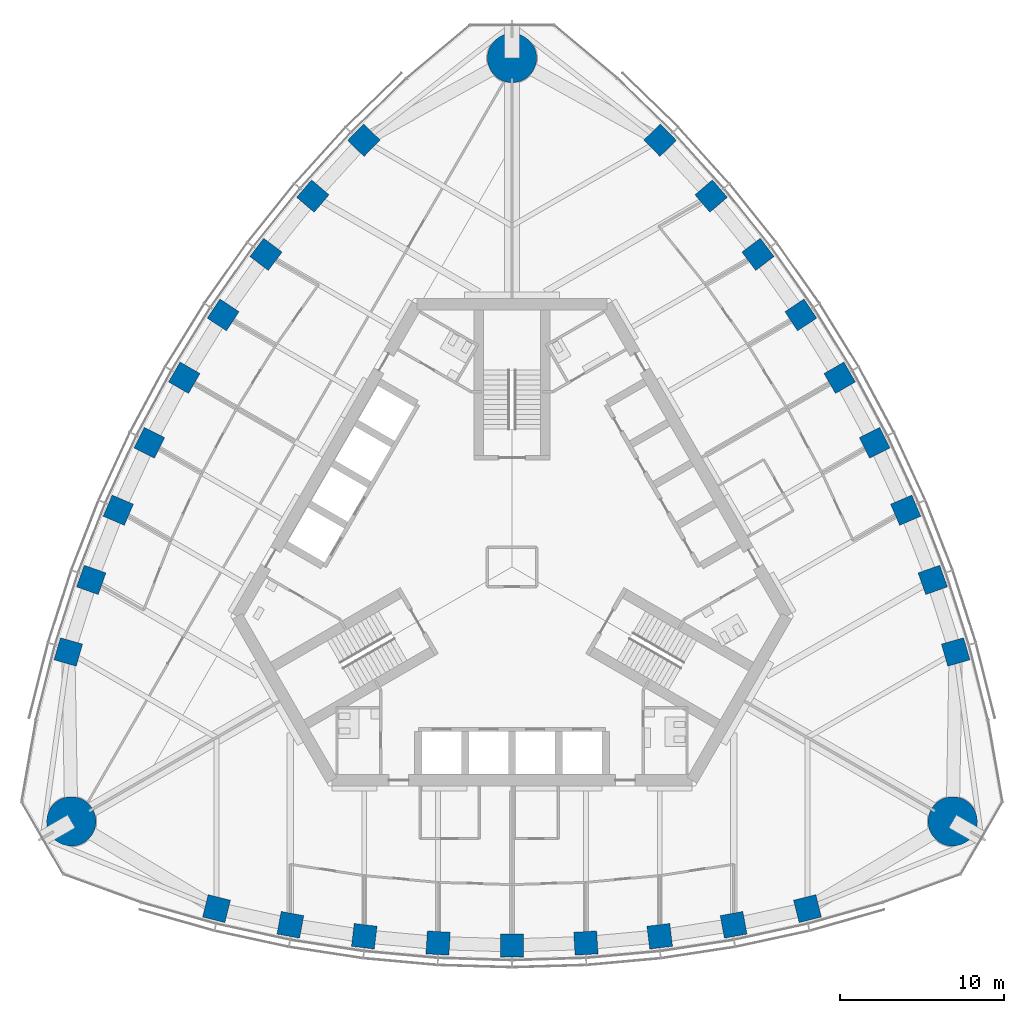
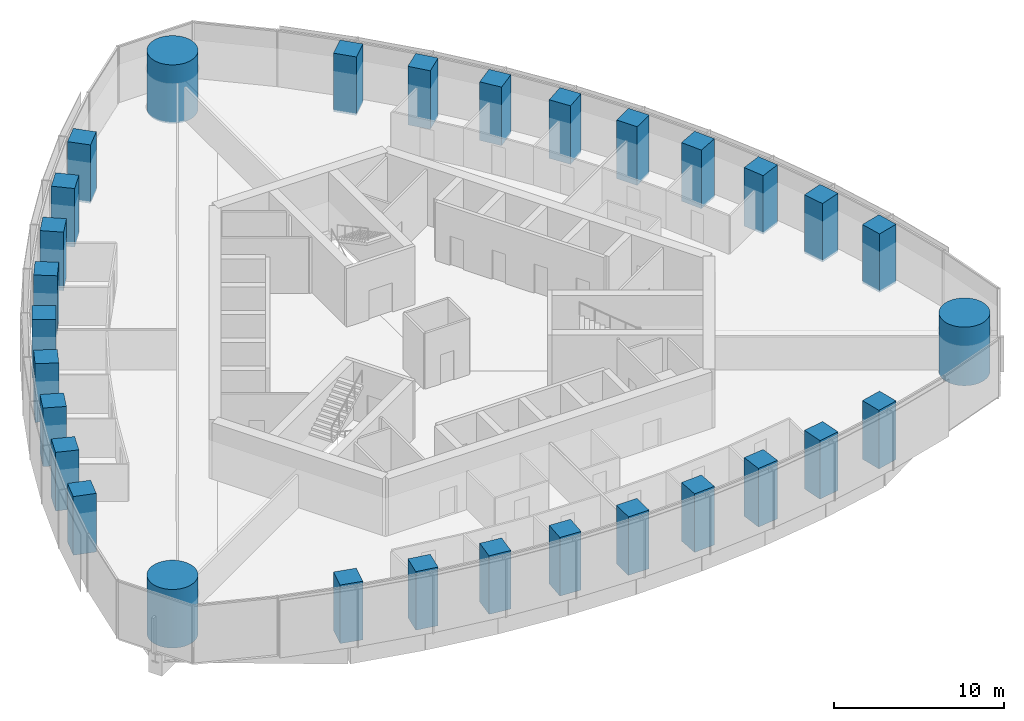
# One storey, part 1 of 16: 30 columns.
"""IFC4 building model written with IfcOpenShell, lengths in metres."""

from ifc_helpers import new_model, si_unit, direction, frame, origin, origin_2d, place, context, subcontext, project, spatial, rectangle, circle, extrude, material, material_profile, profile_set, type_object, element, save


model = new_model("IFC4")

# Units and contexts
model_context = context("Model", 3, precision=1e-05, world=origin(), true_north=direction((0.0, 1.0)))
body_context = subcontext(model_context, "Body", "Model", "MODEL_VIEW")
ifc_project = project(units=[si_unit("LENGTHUNIT", "METRE"), si_unit("AREAUNIT", "SQUARE_METRE"), si_unit("VOLUMEUNIT", "CUBIC_METRE"), si_unit("PLANEANGLEUNIT", "RADIAN"), si_unit("MASSUNIT", "GRAM", prefix="KILO")], contexts=[model_context])

# Site, building, storey
site_placement = place(None, origin())
site = spatial("IfcSite", under=ifc_project, at=site_placement, CompositionType="ELEMENT")
building_placement = place(site_placement, origin())
building = spatial("IfcBuilding", under=site, at=building_placement, Name="Trefoil Bronze Tower", CompositionType="ELEMENT")
storey_placement = place(building_placement, frame((0.0, 0.0, 284.699951171875)))
storey = spatial("IfcBuildingStorey", under=building, at=storey_placement, Name="L65", CompositionType="ELEMENT", Elevation=284.699951171875)

# Columns
ifc_material_1 = material(Name="Concrete B80", Category="concrete")
ifc_material_profile_1 = material_profile(ifc_material_1, circle(Radius=1.5, at=origin_2d()), Name="RC D3000")
ifc_profile_set_1 = profile_set([ifc_material_profile_1], Name="Concrete B80")
column_type_1 = type_object("IfcColumnType", Name="Mega column RC D3000", PredefinedType="COLUMN", material=ifc_profile_set_1)
for number, where, z_axis, x_axis, name in (
    (1, (26.8466796875, -15.5, 0.0), (0.0, 0.0, 1.0), (1.0, 0.0, 0.0), "Mega column K1 L65"),
    (2, (0.0, 31.0, 0.0), (0.0, 0.0, 1.0), (1.0, 0.0, 0.0), "Mega column K2 L65"),
    (3, (-26.8466796875, -15.5, 0.0), (0.0, 0.0, 1.0), (1.0, 0.0, 0.0), "Mega column K3 L65"),
):
    element("IfcColumn", number, at=place(storey_placement, frame(where, z_axis=z_axis, x_axis=x_axis)), inside=storey, type_object=column_type_1, Name=name, PredefinedType="COLUMN", context=body_context, shape_type="SweptSolid", body=[
        extrude(circle(Radius=1.5, at=origin_2d()), origin(), (0.0, 0.0, 1.0), 4.199951171875),
    ])
ifc_material_2 = material(Name="Concrete B80", Category="concrete")
ifc_material_profile_2 = material_profile(ifc_material_2, rectangle(XDim=1.39990234375, YDim=1.39990234375, at=origin_2d()), Name="RC 1400x1400")
ifc_profile_set_2 = profile_set([ifc_material_profile_2], Name="Concrete B80")
column_type_2 = type_object("IfcColumnType", Name="Tube column RC 1400x1400", PredefinedType="COLUMN", material=ifc_profile_set_2)
for number, where, z_axis, x_axis, name in (
    (4, (-18.0, -20.816162109375, 0.0), (0.0, 0.0, 1.0), (0.97017777199, -0.242394494031, 0.0), "Tube column F1/-4 L65"),
    (5, (-13.5, -21.802734375, 0.0), (0.0, 0.0, 1.0), (0.983360067227, -0.181667218242, 0.0), "Tube column F1/-3 L65"),
    (6, (-9.0, -22.499267578125, 0.0), (0.0, 0.0, 1.0), (0.992639174109, -0.121109330868, 0.0), "Tube column F1/-2 L65"),
    (7, (-4.5, -22.913818359375, 0.0), (0.0, 0.0, 1.0), (0.998164920349, -0.060554040199, 0.0), "Tube column F1/-1 L65"),
    (8, (0.0, -23.051513671875, 0.0), (0.0, 0.0, 1.0), (1.0, 0.0, 0.0), "Tube column F1/+0 L65"),
    (9, (4.5, -22.913818359375, 0.0), (0.0, 0.0, 1.0), (0.998164920349, 0.060554040199, 0.0), "Tube column F1/+1 L65"),
    (10, (9.0, -22.499267578125, 0.0), (0.0, 0.0, 1.0), (0.992639174109, 0.121109330868, 0.0), "Tube column F1/+2 L65"),
    (11, (13.5, -21.802734375, 0.0), (0.0, 0.0, 1.0), (0.983360067227, 0.181667218242, 0.0), "Tube column F1/+3 L65"),
    (12, (18.0, -20.816162109375, 0.0), (0.0, 0.0, 1.0), (0.97017777199, 0.242394494031, 0.0), "Tube column F1/+4 L65"),
    (13, (27.02734375, -5.180419921875, 0.0), (0.0, 0.0, 1.0), (-0.275169096426, 0.961395843746, 0.0), "Tube column F2/-4 L65"),
    (14, (25.631591796875, -0.7900390625, 0.0), (0.0, 0.0, 1.0), (-0.334351607581, 0.942448408407, 0.0), "Tube column F2/-3 L65"),
    (15, (23.98486328125, 3.455322265625, 0.0), (0.0, 0.0, 1.0), (-0.391435829888, 0.920205407004, 0.0), "Tube column F2/-2 L65"),
    (16, (22.093994140625, 7.559814453125, 0.0), (0.0, 0.0, 1.0), (-0.44664112306, 0.894713198289, 0.0), "Tube column F2/-1 L65"),
    (17, (19.96337890625, 11.52587890625, 0.0), (0.0, 0.0, 1.0), (-0.5, 0.866025403784, 0.0), "Tube column F2/+0 L65"),
    (18, (17.593994140625, 15.35400390625, 0.0), (0.0, 0.0, 1.0), (-0.551523797289, 0.834159158089, 0.0), "Tube column F2/+1 L65"),
    (19, (14.98486328125, 19.043701171875, 0.0), (0.0, 0.0, 1.0), (-0.601203344222, 0.799096076136, 0.0), "Tube column F2/+2 L65"),
    (20, (12.131591796875, 22.5927734375, 0.0), (0.0, 0.0, 1.0), (-0.649008459646, 0.760781190165, 0.0), "Tube column F2/+3 L65"),
    (21, (9.02734375, 25.99658203125, 0.0), (0.0, 0.0, 1.0), (-0.695008675564, 0.719001349715, 0.0), "Tube column F2/+4 L65"),
    (22, (-9.02734375, 25.99658203125, 0.0), (0.0, 0.0, 1.0), (-0.695008675564, -0.719001349715, 0.0), "Tube column F3/-4 L65"),
    (23, (-12.131591796875, 22.5927734375, 0.0), (0.0, 0.0, 1.0), (-0.649008459646, -0.760781190165, 0.0), "Tube column F3/-3 L65"),
    (24, (-14.98486328125, 19.043701171875, 0.0), (0.0, 0.0, 1.0), (-0.601203344222, -0.799096076136, 0.0), "Tube column F3/-2 L65"),
    (25, (-17.593994140625, 15.35400390625, 0.0), (0.0, 0.0, 1.0), (-0.551523797289, -0.834159158089, 0.0), "Tube column F3/-1 L65"),
    (26, (-19.96337890625, 11.52587890625, 0.0), (0.0, 0.0, 1.0), (-0.5, -0.866025403784, 0.0), "Tube column F3/+0 L65"),
    (27, (-22.093994140625, 7.559814453125, 0.0), (0.0, 0.0, 1.0), (-0.44664112306, -0.894713198289, 0.0), "Tube column F3/+1 L65"),
    (28, (-23.98486328125, 3.455322265625, 0.0), (0.0, 0.0, 1.0), (-0.391435829888, -0.920205407004, 0.0), "Tube column F3/+2 L65"),
    (29, (-25.631591796875, -0.7900390625, 0.0), (0.0, 0.0, 1.0), (-0.334351607581, -0.942448408407, 0.0), "Tube column F3/+3 L65"),
    (30, (-27.02734375, -5.180419921875, 0.0), (0.0, 0.0, 1.0), (-0.275169096426, -0.961395843746, 0.0), "Tube column F3/+4 L65"),
):
    element("IfcColumn", number, at=place(storey_placement, frame(where, z_axis=z_axis, x_axis=x_axis)), inside=storey, type_object=column_type_2, Name=name, PredefinedType="COLUMN", context=body_context, shape_type="SweptSolid", body=[
        extrude(rectangle(XDim=1.39990234375, YDim=1.39990234375, at=origin_2d()), origin(), (0.0, 0.0, 1.0), 4.199951171875),
    ])

save(model, "model.ifc")
